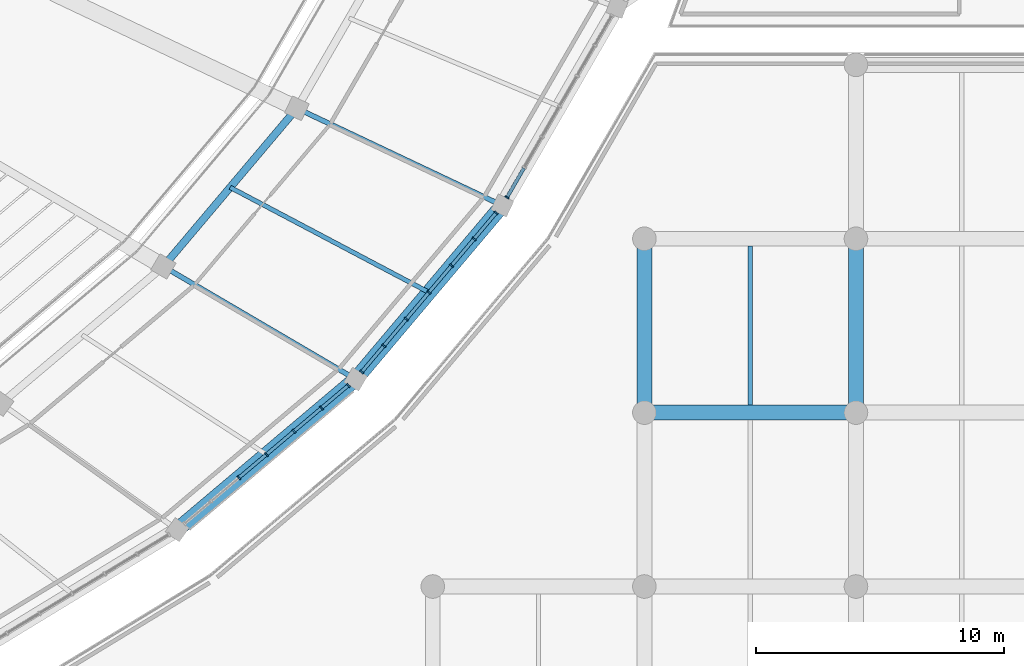
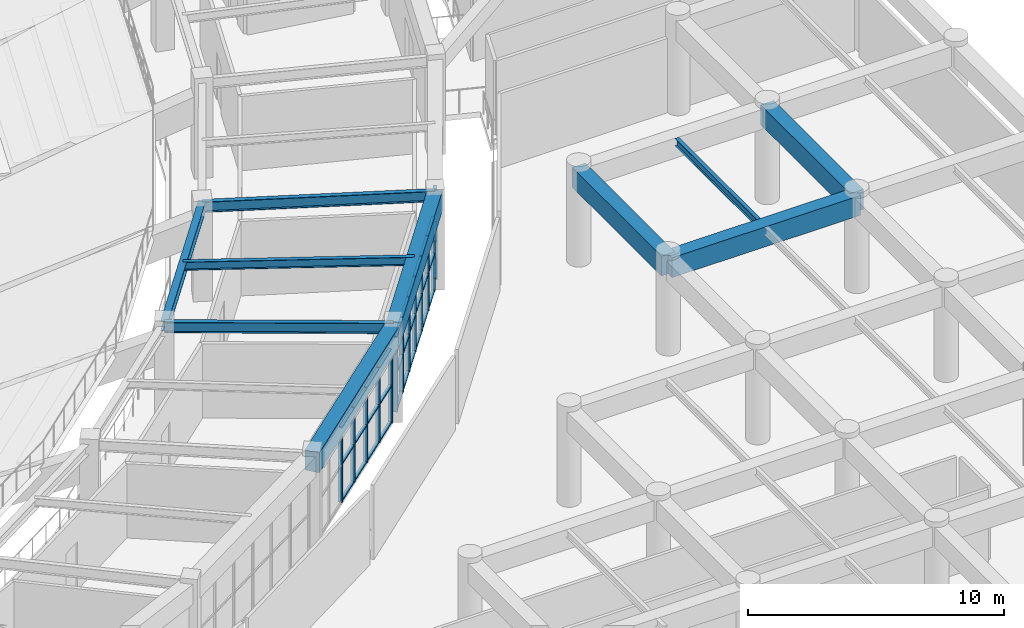
# One storey, part 40 of 137: 46 members, 10 beams, 3 elements without a shape of their own.
"""IFC4 building model written with IfcOpenShell, lengths in metres."""

from ifc_helpers import new_model, si_unit, direction, frame, origin, origin_2d, place, context, subcontext, project, spatial, rectangle, i_section, extrude, material, layer, layer_set, material_profile, profile_set, type_object, element, aggregate, save


model = new_model("IFC4")

# Units and contexts
model_context = context("Model", 3, precision=1e-05, world=origin(), true_north=direction((0.0, 1.0)))
body_context = subcontext(model_context, "Body", "Model", "MODEL_VIEW")
ifc_project = project(units=[si_unit("LENGTHUNIT", "METRE"), si_unit("AREAUNIT", "SQUARE_METRE"), si_unit("VOLUMEUNIT", "CUBIC_METRE"), si_unit("PLANEANGLEUNIT", "RADIAN"), si_unit("MASSUNIT", "GRAM", prefix="KILO")], contexts=[model_context])

# Site, building, storey
site_placement = place(None, origin())
site = spatial("IfcSite", under=ifc_project, at=site_placement, CompositionType="ELEMENT")
building_placement = place(site_placement, origin())
building = spatial("IfcBuilding", under=site, at=building_placement, Name="Mphavela Belvedere Stadium", CompositionType="ELEMENT")
storey_placement = place(building_placement, frame((0.0, 0.0, 19.199951171875)))
storey = spatial("IfcBuildingStorey", under=building, at=storey_placement, Name="L04", CompositionType="ELEMENT", Elevation=19.199951171875)

# Beams
ifc_material_1 = material(Name="Concrete C40/50", Category="concrete")
ifc_material_profile_1 = material_profile(ifc_material_1, rectangle(XDim=0.60009765625, YDim=0.949951171875, at=origin_2d()), Name="RC 600x950")
ifc_profile_set_1 = profile_set([ifc_material_profile_1], Name="Concrete C40/50")
beam_type_1 = type_object("IfcBeamType", Name="BM-ENTABLATURE-950", PredefinedType="SPANDREL", material=ifc_profile_set_1)
beam_1_placement = place(storey_placement, frame((194.155517578125, 30.285400390625, 4.074951171875), z_axis=(0.76426547638, 0.644901761212, 0.0), x_axis=(-0.644901761212, 0.76426547638, 0.0)))
element("IfcBeam", 1, at=beam_1_placement, inside=storey, type_object=beam_type_1, Name="Circumferential girder L04 R4-43", PredefinedType="SPANDREL", context=body_context, shape_type="SweptSolid", body=[
    extrude(rectangle(XDim=0.60009765625, YDim=0.949951171875, at=origin_2d()), origin(), (0.0, 0.0, 1.0), 9.3984375),
])
beam_2_placement = place(storey_placement, frame((201.33837890625, 36.346435546875, 4.074951171875), z_axis=(0.645164552218, 0.764043650952, 0.0), x_axis=(-0.764043650952, 0.645164552218, 0.0)))
element("IfcBeam", 2, at=beam_2_placement, inside=storey, type_object=beam_type_1, Name="Circumferential girder L04 R4-44", PredefinedType="SPANDREL", context=body_context, shape_type="SweptSolid", body=[
    extrude(rectangle(XDim=0.60009765625, YDim=0.949951171875, at=origin_2d()), origin(), (0.0, 0.0, 1.0), 9.151123046875),
])
beam_3_placement = place(storey_placement, frame((212.962890625, 35.0, 4.06494140625), z_axis=(1.0, 0.0, 0.0), x_axis=(0.0, 1.0, 0.0)))
element("IfcBeam", 3, at=beam_3_placement, inside=storey, type_object=beam_type_1, Name="South Axial Triumphal Peristyle Portico entablature beam X L04 26-6", PredefinedType="SPANDREL", context=body_context, shape_type="SweptSolid", body=[
    extrude(rectangle(XDim=0.60009765625, YDim=0.949951171875, at=origin_2d()), origin(), (0.0, 0.0, 1.0), 8.51806640625),
])
for number, where, z_axis, x_axis, name in (
    (4, (212.962890625, 35.0, 4.06494140625), (0.0, 1.0, 0.0), (-1.0, 0.0, 0.0), "South Axial Triumphal Peristyle Portico entablature beam Y L04 26-6"),
    (5, (221.48095703125, 35.0, 4.06494140625), (0.0, 1.0, 0.0), (-1.0, 0.0, 0.0), "South Axial Triumphal Peristyle Portico entablature beam Y L04 27-6"),
):
    element("IfcBeam", number, at=place(storey_placement, frame(where, z_axis=z_axis, x_axis=x_axis)), inside=storey, type_object=beam_type_1, Name=name, PredefinedType="SPANDREL", context=body_context, shape_type="SweptSolid", body=[
        extrude(rectangle(XDim=0.60009765625, YDim=0.949951171875, at=origin_2d()), origin(), (0.0, 0.0, 1.0), 7.0),
    ])
ifc_material_2 = material(Name="Steel S355", Category="steel")
ifc_material_profile_2 = material_profile(ifc_material_2, i_section(OverallWidth=0.169921875, OverallDepth=0.360107421875, WebThickness=0.008056640625, FlangeThickness=0.0126953125, at=origin_2d()), Name="IPE 360")
ifc_profile_set_2 = profile_set([ifc_material_profile_2], Name="Steel S355")
beam_type_2 = type_object("IfcBeamType", Name="BM-JOIST-IPE360", PredefinedType="JOIST", material=ifc_profile_set_2)
beam_4_placement = place(storey_placement, frame((217.221923828125, 35.300048828125, 4.360107421875), z_axis=(0.0, 1.0, 0.0), x_axis=(-1.0, 0.0, 0.0)))
element("IfcBeam", 6, at=beam_4_placement, inside=storey, type_object=beam_type_2, Name="South Axial Triumphal Peristyle Portico secondary joist L04 26-6", PredefinedType="JOIST", context=body_context, shape_type="SweptSolid", body=[
    extrude(i_section(OverallWidth=0.169921875, OverallDepth=0.360107421875, WebThickness=0.008056640625, FlangeThickness=0.0126953125, at=origin_2d()), origin(), (0.0, 0.0, 1.0), 6.39990234375),
])
ifc_material_3 = material(Name="Steel S355", Category="steel")
ifc_material_profile_3 = material_profile(ifc_material_3, i_section(OverallWidth=0.179931640625, OverallDepth=0.39990234375, WebThickness=0.008544921875, FlangeThickness=0.013427734375, at=origin_2d()), Name="IPE 400")
ifc_profile_set_3 = profile_set([ifc_material_profile_3], Name="Steel S355")
beam_type_3 = type_object("IfcBeamType", Name="BM-JOIST-IPE400", PredefinedType="JOIST", material=ifc_profile_set_3)
beam_5_placement = place(storey_placement, frame((196.2880859375, 44.06884765625, 4.35009765625), z_axis=(0.884250771824, -0.467012390123, 0.0), x_axis=(0.467012390123, 0.884250771824, 0.0)))
element("IfcBeam", 7, at=beam_5_placement, inside=storey, type_object=beam_type_3, Name="Concourse floor joist L04-44", PredefinedType="JOIST", context=body_context, shape_type="SweptSolid", body=[
    extrude(i_section(OverallWidth=0.179931640625, OverallDepth=0.39990234375, WebThickness=0.008544921875, FlangeThickness=0.013427734375, at=origin_2d()), origin(), (0.0, 0.0, 1.0), 9.0498046875),
])
ifc_material_4 = material(Name="Steel S355", Category="steel")
ifc_material_profile_4 = material_profile(ifc_material_4, i_section(OverallWidth=0.300048828125, OverallDepth=0.489990234375, WebThickness=0.011962890625, FlangeThickness=0.02294921875, at=origin_2d()), Name="HEA 500")
ifc_profile_set_4 = profile_set([ifc_material_profile_4], Name="Steel S355")
beam_type_4 = type_object("IfcBeamType", Name="BM-STEEL-HEA500", PredefinedType="BEAM", material=ifc_profile_set_4)
beam_6_placement = place(storey_placement, frame((193.600341796875, 40.88623046875, 4.304931640625), z_axis=(0.645177396673, 0.764032804808, 0.0), x_axis=(-0.764032804808, 0.645177396673, 0.0)))
element("IfcBeam", 8, at=beam_6_placement, inside=storey, type_object=beam_type_4, Name="Circumferential girder L04 R3-44", PredefinedType="BEAM", context=body_context, shape_type="SweptSolid", body=[
    extrude(i_section(OverallWidth=0.300048828125, OverallDepth=0.489990234375, WebThickness=0.011962890625, FlangeThickness=0.02294921875, at=origin_2d()), origin(), (0.0, 0.0, 1.0), 8.331298828125),
])
ifc_material_5 = material(Name="Steel S355", Category="steel")
ifc_material_profile_5 = material_profile(ifc_material_5, i_section(OverallWidth=0.199951171875, OverallDepth=0.5, WebThickness=0.01025390625, FlangeThickness=0.01611328125, at=origin_2d()), Name="IPE 500")
ifc_profile_set_5 = profile_set([ifc_material_profile_5], Name="Steel S355")
beam_type_5 = type_object("IfcBeamType", Name="BM-STEEL-IPE500", PredefinedType="BEAM", material=ifc_profile_set_5)
beam_7_placement = place(storey_placement, frame((193.600341796875, 40.88623046875, 4.300048828125), z_axis=(0.862517779395, -0.506026758411, 0.0), x_axis=(0.506026758411, 0.862517779395, 0.0)))
element("IfcBeam", 9, at=beam_7_placement, inside=storey, type_object=beam_type_5, Name="Radial concourse girder L04 R3R4-44", PredefinedType="BEAM", context=body_context, shape_type="SweptSolid", body=[
    extrude(i_section(OverallWidth=0.199951171875, OverallDepth=0.5, WebThickness=0.01025390625, FlangeThickness=0.01611328125, at=origin_2d()), origin(), (0.0, 0.0, 1.0), 8.971435546875),
])
beam_8_placement = place(storey_placement, frame((198.9755859375, 47.251708984375, 4.300048828125), z_axis=(0.903845427073, -0.427859140325, 0.0), x_axis=(0.427859140325, 0.903845427073, 0.0)))
element("IfcBeam", 10, at=beam_8_placement, inside=storey, type_object=beam_type_5, Name="Radial concourse girder L04 R3R4-45", PredefinedType="BEAM", context=body_context, shape_type="SweptSolid", body=[
    extrude(i_section(OverallWidth=0.199951171875, OverallDepth=0.5, WebThickness=0.01025390625, FlangeThickness=0.01611328125, at=origin_2d()), origin(), (0.0, 0.0, 1.0), 9.146240234375),
])

# Curtain wall, members
ifc_material_6 = material(Name="Anodised bronze unitised curtain wall framing")
ifc_layer_1 = layer(ifc_material_6, 0.205078125)
ifc_layer_set_1 = layer_set([ifc_layer_1], Name="Anodised bronze unitised curtain wall framing")
curtain_wall_type_1 = type_object("IfcCurtainWallType", Name="CW-UNIT-06", PredefinedType="USERDEFINED", material=ifc_layer_set_1)
curtain_wall_1_placement = place(storey_placement, origin())
curtain_wall_1 = element("IfcCurtainWall", 11, at=curtain_wall_1_placement, inside=storey, type_object=curtain_wall_type_1, Name="Belvedere colonnade curtain wall L04-43", ObjectType="UNITISED CURTAIN WALL", PredefinedType="USERDEFINED")
ifc_material_7 = material(Name="Anodised bronze extruded aluminium", Category="aluminium")
ifc_material_profile_6 = material_profile(ifc_material_7, rectangle(XDim=0.179931640625, YDim=0.06494140625, at=origin_2d()), Name="CW-MUL 180x65")
ifc_profile_set_6 = profile_set([ifc_material_profile_6], Name="Anodised bronze extruded aluminium")
member_type_1 = type_object("IfcMemberType", Name="CWM-180x65", PredefinedType="MULLION", material=ifc_profile_set_6)
member_1_placement = place(storey_placement, frame((196.638427734375, 32.380615234375, 0.0), z_axis=(0.0, 0.0, 1.0), x_axis=(-0.644916038089, 0.764253429051, 0.0)))
member_1 = element("IfcMember", 12, at=member_1_placement, type_object=member_type_1, Name="CW-06 mullion 3", PredefinedType="MULLION", context=body_context, shape_type="SweptSolid", body=[
    extrude(rectangle(XDim=0.179931640625, YDim=0.06494140625, at=origin_2d()), origin(), (0.0, 0.0, 1.0), 3.570068359375),
])
member_2_placement = place(storey_placement, frame((197.7470703125, 33.31591796875, 0.0), z_axis=(0.0, 0.0, 1.0), x_axis=(-0.644916038089, 0.764253429051, 0.0)))
member_2 = element("IfcMember", 13, at=member_2_placement, type_object=member_type_1, Name="CW-06 mullion 4", PredefinedType="MULLION", context=body_context, shape_type="SweptSolid", body=[
    extrude(rectangle(XDim=0.179931640625, YDim=0.06494140625, at=origin_2d()), origin(), (0.0, 0.0, 1.0), 3.570068359375),
])
member_3_placement = place(storey_placement, frame((198.85546875, 34.25146484375, 0.0), z_axis=(0.0, 0.0, 1.0), x_axis=(-0.644916038089, 0.764253429051, 0.0)))
member_3 = element("IfcMember", 14, at=member_3_placement, type_object=member_type_1, Name="CW-06 mullion 5", PredefinedType="MULLION", context=body_context, shape_type="SweptSolid", body=[
    extrude(rectangle(XDim=0.179931640625, YDim=0.06494140625, at=origin_2d()), origin(), (0.0, 0.0, 1.0), 3.570068359375),
])
member_4_placement = place(storey_placement, frame((199.9638671875, 35.186767578125, 0.0), z_axis=(0.0, 0.0, 1.0), x_axis=(-0.644916038089, 0.764253429051, 0.0)))
member_4 = element("IfcMember", 15, at=member_4_placement, type_object=member_type_1, Name="CW-06 mullion 6", PredefinedType="MULLION", context=body_context, shape_type="SweptSolid", body=[
    extrude(rectangle(XDim=0.179931640625, YDim=0.06494140625, at=origin_2d()), origin(), (0.0, 0.0, 1.0), 3.570068359375),
])
member_5_placement = place(storey_placement, frame((201.04736328125, 36.10107421875, 0.0), z_axis=(0.0, 0.0, 1.0), x_axis=(-0.644916038089, 0.764253429051, 0.0)))
member_5 = element("IfcMember", 16, at=member_5_placement, type_object=member_type_1, Name="CW-06 mullion 7", PredefinedType="MULLION", context=body_context, shape_type="SweptSolid", body=[
    extrude(rectangle(XDim=0.179931640625, YDim=0.06494140625, at=origin_2d()), origin(), (0.0, 0.0, 1.0), 3.570068359375),
])

ifc_material_8 = material(Name="Anodised bronze unitised curtain wall framing")
ifc_layer_2 = layer(ifc_material_8, 0.179931640625)
ifc_layer_set_2 = layer_set([ifc_layer_2], Name="Anodised bronze unitised curtain wall framing")
curtain_wall_type_2 = type_object("IfcCurtainWallType", Name="CW-UNIT-01", PredefinedType="USERDEFINED", material=ifc_layer_set_2)
curtain_wall_2_placement = place(storey_placement, origin())
curtain_wall_2 = element("IfcCurtainWall", 17, at=curtain_wall_2_placement, inside=storey, type_object=curtain_wall_type_2, Name="Belvedere colonnade curtain wall L04-44", ObjectType="UNITISED CURTAIN WALL", PredefinedType="USERDEFINED")
member_6_placement = place(storey_placement, frame((201.583740234375, 36.63720703125, 0.0), z_axis=(0.0, 0.0, 1.0), x_axis=(-0.764034579723, 0.645175294774, 0.0)))
member_6 = element("IfcMember", 18, at=member_6_placement, type_object=member_type_1, Name="CW-01 mullion 1", PredefinedType="MULLION", context=body_context, shape_type="SweptSolid", body=[
    extrude(rectangle(XDim=0.179931640625, YDim=0.06494140625, at=origin_2d()), origin(), (0.0, 0.0, 1.0), 3.570068359375),
])
member_7_placement = place(storey_placement, frame((202.471923828125, 37.689208984375, 0.0), z_axis=(0.0, 0.0, 1.0), x_axis=(-0.764034579723, 0.645175294774, 0.0)))
member_7 = element("IfcMember", 19, at=member_7_placement, type_object=member_type_1, Name="CW-01 mullion 2", PredefinedType="MULLION", context=body_context, shape_type="SweptSolid", body=[
    extrude(rectangle(XDim=0.179931640625, YDim=0.06494140625, at=origin_2d()), origin(), (0.0, 0.0, 1.0), 3.570068359375),
])
member_8_placement = place(storey_placement, frame((203.381103515625, 38.765869140625, 0.0), z_axis=(0.0, 0.0, 1.0), x_axis=(-0.764034579723, 0.645175294774, 0.0)))
member_8 = element("IfcMember", 20, at=member_8_placement, type_object=member_type_1, Name="CW-01 mullion 3", PredefinedType="MULLION", context=body_context, shape_type="SweptSolid", body=[
    extrude(rectangle(XDim=0.179931640625, YDim=0.06494140625, at=origin_2d()), origin(), (0.0, 0.0, 1.0), 3.570068359375),
])
member_9_placement = place(storey_placement, frame((204.290283203125, 39.842529296875, 0.0), z_axis=(0.0, 0.0, 1.0), x_axis=(-0.764034579723, 0.645175294774, 0.0)))
member_9 = element("IfcMember", 21, at=member_9_placement, type_object=member_type_1, Name="CW-01 mullion 4", PredefinedType="MULLION", context=body_context, shape_type="SweptSolid", body=[
    extrude(rectangle(XDim=0.179931640625, YDim=0.06494140625, at=origin_2d()), origin(), (0.0, 0.0, 1.0), 3.570068359375),
])
member_10_placement = place(storey_placement, frame((205.19970703125, 40.919189453125, 0.0), z_axis=(0.0, 0.0, 1.0), x_axis=(-0.764034579723, 0.645175294774, 0.0)))
member_10 = element("IfcMember", 22, at=member_10_placement, type_object=member_type_1, Name="CW-01 mullion 5", PredefinedType="MULLION", context=body_context, shape_type="SweptSolid", body=[
    extrude(rectangle(XDim=0.179931640625, YDim=0.06494140625, at=origin_2d()), origin(), (0.0, 0.0, 1.0), 3.570068359375),
])
member_11_placement = place(storey_placement, frame((206.10888671875, 41.995849609375, 0.0), z_axis=(0.0, 0.0, 1.0), x_axis=(-0.764034579723, 0.645175294774, 0.0)))
member_11 = element("IfcMember", 23, at=member_11_placement, type_object=member_type_1, Name="CW-01 mullion 6", PredefinedType="MULLION", context=body_context, shape_type="SweptSolid", body=[
    extrude(rectangle(XDim=0.179931640625, YDim=0.06494140625, at=origin_2d()), origin(), (0.0, 0.0, 1.0), 3.570068359375),
])
member_12_placement = place(storey_placement, frame((206.9970703125, 43.0478515625, 0.0), z_axis=(0.0, 0.0, 1.0), x_axis=(-0.764034579723, 0.645175294774, 0.0)))
member_12 = element("IfcMember", 24, at=member_12_placement, type_object=member_type_1, Name="CW-01 mullion 7", PredefinedType="MULLION", context=body_context, shape_type="SweptSolid", body=[
    extrude(rectangle(XDim=0.179931640625, YDim=0.06494140625, at=origin_2d()), origin(), (0.0, 0.0, 1.0), 3.570068359375),
])

# Curtain wall, member
ifc_material_9 = material(Name="Anodised bronze unitised curtain wall framing")
ifc_layer_3 = layer(ifc_material_9, 0.18505859375)
ifc_layer_set_3 = layer_set([ifc_layer_3], Name="Anodised bronze unitised curtain wall framing")
curtain_wall_type_3 = type_object("IfcCurtainWallType", Name="CW-UNIT-02", PredefinedType="USERDEFINED", material=ifc_layer_set_3)
curtain_wall_3_placement = place(storey_placement, origin())
curtain_wall_3 = element("IfcCurtainWall", 25, at=curtain_wall_3_placement, inside=storey, type_object=curtain_wall_type_3, Name="Belvedere colonnade curtain wall L04-45", ObjectType="UNITISED CURTAIN WALL", PredefinedType="USERDEFINED")
member_13_placement = place(storey_placement, frame((207.432861328125, 43.66796875, 0.0), z_axis=(0.0, 0.0, 1.0), x_axis=(-0.865704159606, 0.500555998906, 0.0)))
member_13 = element("IfcMember", 26, at=member_13_placement, type_object=member_type_1, Name="CW-02 mullion 1", PredefinedType="MULLION", context=body_context, shape_type="SweptSolid", body=[
    extrude(rectangle(XDim=0.179931640625, YDim=0.06494140625, at=origin_2d()), origin(), (0.0, 0.0, 1.0), 3.570068359375),
])

# Member
ifc_material_10 = material(Name="Anodised bronze extruded aluminium", Category="aluminium")
ifc_material_profile_7 = material_profile(ifc_material_10, rectangle(XDim=0.139892578125, YDim=0.06005859375, at=origin_2d()), Name="CW-TRN 140x60")
ifc_profile_set_7 = profile_set([ifc_material_profile_7], Name="Anodised bronze extruded aluminium")
member_type_2 = type_object("IfcMemberType", Name="CWT-140x60", PredefinedType="USERDEFINED", material=ifc_profile_set_7)
member_14_placement = place(storey_placement, frame((196.663330078125, 32.401611328125, 0.030029296875), z_axis=(0.764321340715, 0.644835551228, 0.0), x_axis=(-0.644835551228, 0.764321340715, 0.0)))
member_14 = element("IfcMember", 27, at=member_14_placement, type_object=member_type_2, Name="CW-06 transom 3.1", ObjectType="TRANSOM", PredefinedType="USERDEFINED", context=body_context, shape_type="SweptSolid", body=[
    extrude(rectangle(XDim=0.139892578125, YDim=0.06005859375, at=origin_2d()), origin(), (0.0, 0.0, 1.0), 1.38525390625),
])

member_15_placement = place(storey_placement, frame((196.663330078125, 32.401611328125, 1.78515625), z_axis=(0.764321340715, 0.644835551228, 0.0), x_axis=(-0.644835551228, 0.764321340715, 0.0)))
member_15 = element("IfcMember", 28, at=member_15_placement, type_object=member_type_2, Name="CW-06 transom 3.2", ObjectType="TRANSOM", PredefinedType="USERDEFINED", context=body_context, shape_type="SweptSolid", body=[
    extrude(rectangle(XDim=0.139892578125, YDim=0.06005859375, at=origin_2d()), origin(), (0.0, 0.0, 1.0), 1.38525390625),
])

member_16_placement = place(storey_placement, frame((196.663330078125, 32.401611328125, 3.5400390625), z_axis=(0.764321340715, 0.644835551228, 0.0), x_axis=(-0.644835551228, 0.764321340715, 0.0)))
member_16 = element("IfcMember", 29, at=member_16_placement, type_object=member_type_2, Name="CW-06 transom 3.3", ObjectType="TRANSOM", PredefinedType="USERDEFINED", context=body_context, shape_type="SweptSolid", body=[
    extrude(rectangle(XDim=0.139892578125, YDim=0.06005859375, at=origin_2d()), origin(), (0.0, 0.0, 1.0), 1.38525390625),
])

member_17_placement = place(storey_placement, frame((197.771728515625, 33.3369140625, 0.030029296875), z_axis=(0.764234485314, 0.644938486569, 0.0), x_axis=(-0.644938486569, 0.764234485314, 0.0)))
member_17 = element("IfcMember", 30, at=member_17_placement, type_object=member_type_2, Name="CW-06 transom 4.1", ObjectType="TRANSOM", PredefinedType="USERDEFINED", context=body_context, shape_type="SweptSolid", body=[
    extrude(rectangle(XDim=0.139892578125, YDim=0.06005859375, at=origin_2d()), origin(), (0.0, 0.0, 1.0), 1.385498046875),
])

member_18_placement = place(storey_placement, frame((197.771728515625, 33.3369140625, 1.78515625), z_axis=(0.764234485314, 0.644938486569, 0.0), x_axis=(-0.644938486569, 0.764234485314, 0.0)))
member_18 = element("IfcMember", 31, at=member_18_placement, type_object=member_type_2, Name="CW-06 transom 4.2", ObjectType="TRANSOM", PredefinedType="USERDEFINED", context=body_context, shape_type="SweptSolid", body=[
    extrude(rectangle(XDim=0.139892578125, YDim=0.06005859375, at=origin_2d()), origin(), (0.0, 0.0, 1.0), 1.385498046875),
])

member_19_placement = place(storey_placement, frame((197.771728515625, 33.3369140625, 3.5400390625), z_axis=(0.764234485314, 0.644938486569, 0.0), x_axis=(-0.644938486569, 0.764234485314, 0.0)))
member_19 = element("IfcMember", 32, at=member_19_placement, type_object=member_type_2, Name="CW-06 transom 4.3", ObjectType="TRANSOM", PredefinedType="USERDEFINED", context=body_context, shape_type="SweptSolid", body=[
    extrude(rectangle(XDim=0.139892578125, YDim=0.06005859375, at=origin_2d()), origin(), (0.0, 0.0, 1.0), 1.385498046875),
])

member_20_placement = place(storey_placement, frame((198.880126953125, 34.272216796875, 0.030029296875), z_axis=(0.764234485314, 0.644938486569, 0.0), x_axis=(-0.644938486569, 0.764234485314, 0.0)))
member_20 = element("IfcMember", 33, at=member_20_placement, type_object=member_type_2, Name="CW-06 transom 5.1", ObjectType="TRANSOM", PredefinedType="USERDEFINED", context=body_context, shape_type="SweptSolid", body=[
    extrude(rectangle(XDim=0.139892578125, YDim=0.06005859375, at=origin_2d()), origin(), (0.0, 0.0, 1.0), 1.385498046875),
])

member_21_placement = place(storey_placement, frame((198.880126953125, 34.272216796875, 1.78515625), z_axis=(0.764234485314, 0.644938486569, 0.0), x_axis=(-0.644938486569, 0.764234485314, 0.0)))
member_21 = element("IfcMember", 34, at=member_21_placement, type_object=member_type_2, Name="CW-06 transom 5.2", ObjectType="TRANSOM", PredefinedType="USERDEFINED", context=body_context, shape_type="SweptSolid", body=[
    extrude(rectangle(XDim=0.139892578125, YDim=0.06005859375, at=origin_2d()), origin(), (0.0, 0.0, 1.0), 1.385498046875),
])

member_22_placement = place(storey_placement, frame((198.880126953125, 34.272216796875, 3.5400390625), z_axis=(0.764234485314, 0.644938486569, 0.0), x_axis=(-0.644938486569, 0.764234485314, 0.0)))
member_22 = element("IfcMember", 35, at=member_22_placement, type_object=member_type_2, Name="CW-06 transom 5.3", ObjectType="TRANSOM", PredefinedType="USERDEFINED", context=body_context, shape_type="SweptSolid", body=[
    extrude(rectangle(XDim=0.139892578125, YDim=0.06005859375, at=origin_2d()), origin(), (0.0, 0.0, 1.0), 1.385498046875),
])

member_23_placement = place(storey_placement, frame((199.98876953125, 35.207763671875, 0.030029296875), z_axis=(0.764316500448, 0.644841288336, 0.0), x_axis=(-0.644841288336, 0.764316500448, 0.0)))
member_23 = element("IfcMember", 36, at=member_23_placement, type_object=member_type_2, Name="CW-06 transom 6.1", ObjectType="TRANSOM", PredefinedType="USERDEFINED", context=body_context, shape_type="SweptSolid", body=[
    extrude(rectangle(XDim=0.139892578125, YDim=0.06005859375, at=origin_2d()), origin(), (0.0, 0.0, 1.0), 1.352783203125),
])

member_24_placement = place(storey_placement, frame((199.98876953125, 35.207763671875, 1.78515625), z_axis=(0.764316500448, 0.644841288336, 0.0), x_axis=(-0.644841288336, 0.764316500448, 0.0)))
member_24 = element("IfcMember", 37, at=member_24_placement, type_object=member_type_2, Name="CW-06 transom 6.2", ObjectType="TRANSOM", PredefinedType="USERDEFINED", context=body_context, shape_type="SweptSolid", body=[
    extrude(rectangle(XDim=0.139892578125, YDim=0.06005859375, at=origin_2d()), origin(), (0.0, 0.0, 1.0), 1.352783203125),
])

member_25_placement = place(storey_placement, frame((199.98876953125, 35.207763671875, 3.5400390625), z_axis=(0.764316500448, 0.644841288336, 0.0), x_axis=(-0.644841288336, 0.764316500448, 0.0)))
member_25 = element("IfcMember", 38, at=member_25_placement, type_object=member_type_2, Name="CW-06 transom 6.3", ObjectType="TRANSOM", PredefinedType="USERDEFINED", context=body_context, shape_type="SweptSolid", body=[
    extrude(rectangle(XDim=0.139892578125, YDim=0.06005859375, at=origin_2d()), origin(), (0.0, 0.0, 1.0), 1.352783203125),
])

aggregate(curtain_wall_1, [member_1, member_2, member_3, member_4, member_5, member_14, member_15, member_16, member_17, member_18, member_19, member_20, member_21, member_22, member_23, member_24, member_25])

member_26_placement = place(storey_placement, frame((201.604736328125, 36.662109375, 0.030029296875), z_axis=(0.645132526384, 0.764070692673, 0.0), x_axis=(-0.764070692673, 0.645132526384, 0.0)))
member_26 = element("IfcMember", 39, at=member_26_placement, type_object=member_type_2, Name="CW-01 transom 1.1", ObjectType="TRANSOM", PredefinedType="USERDEFINED", context=body_context, shape_type="SweptSolid", body=[
    extrude(rectangle(XDim=0.139892578125, YDim=0.06005859375, at=origin_2d()), origin(), (0.0, 0.0, 1.0), 1.311767578125),
])

member_27_placement = place(storey_placement, frame((201.604736328125, 36.662109375, 1.78515625), z_axis=(0.645132526384, 0.764070692673, 0.0), x_axis=(-0.764070692673, 0.645132526384, 0.0)))
member_27 = element("IfcMember", 40, at=member_27_placement, type_object=member_type_2, Name="CW-01 transom 1.2", ObjectType="TRANSOM", PredefinedType="USERDEFINED", context=body_context, shape_type="SweptSolid", body=[
    extrude(rectangle(XDim=0.139892578125, YDim=0.06005859375, at=origin_2d()), origin(), (0.0, 0.0, 1.0), 1.311767578125),
])

member_28_placement = place(storey_placement, frame((201.604736328125, 36.662109375, 3.5400390625), z_axis=(0.645132526384, 0.764070692673, 0.0), x_axis=(-0.764070692673, 0.645132526384, 0.0)))
member_28 = element("IfcMember", 41, at=member_28_placement, type_object=member_type_2, Name="CW-01 transom 1.3", ObjectType="TRANSOM", PredefinedType="USERDEFINED", context=body_context, shape_type="SweptSolid", body=[
    extrude(rectangle(XDim=0.139892578125, YDim=0.06005859375, at=origin_2d()), origin(), (0.0, 0.0, 1.0), 1.311767578125),
])

member_29_placement = place(storey_placement, frame((202.492919921875, 37.7138671875, 0.030029296875), z_axis=(0.645225575493, 0.763992118238, 0.0), x_axis=(-0.763992118238, 0.645225575493, 0.0)))
member_29 = element("IfcMember", 42, at=member_29_placement, type_object=member_type_2, Name="CW-01 transom 2.1", ObjectType="TRANSOM", PredefinedType="USERDEFINED", context=body_context, shape_type="SweptSolid", body=[
    extrude(rectangle(XDim=0.139892578125, YDim=0.06005859375, at=origin_2d()), origin(), (0.0, 0.0, 1.0), 1.344482421875),
])

member_30_placement = place(storey_placement, frame((202.492919921875, 37.7138671875, 1.78515625), z_axis=(0.645225575493, 0.763992118238, 0.0), x_axis=(-0.763992118238, 0.645225575493, 0.0)))
member_30 = element("IfcMember", 43, at=member_30_placement, type_object=member_type_2, Name="CW-01 transom 2.2", ObjectType="TRANSOM", PredefinedType="USERDEFINED", context=body_context, shape_type="SweptSolid", body=[
    extrude(rectangle(XDim=0.139892578125, YDim=0.06005859375, at=origin_2d()), origin(), (0.0, 0.0, 1.0), 1.344482421875),
])

member_31_placement = place(storey_placement, frame((202.492919921875, 37.7138671875, 3.5400390625), z_axis=(0.645225575493, 0.763992118238, 0.0), x_axis=(-0.763992118238, 0.645225575493, 0.0)))
member_31 = element("IfcMember", 44, at=member_31_placement, type_object=member_type_2, Name="CW-01 transom 2.3", ObjectType="TRANSOM", PredefinedType="USERDEFINED", context=body_context, shape_type="SweptSolid", body=[
    extrude(rectangle(XDim=0.139892578125, YDim=0.06005859375, at=origin_2d()), origin(), (0.0, 0.0, 1.0), 1.344482421875),
])

member_32_placement = place(storey_placement, frame((203.402099609375, 38.79052734375, 0.030029296875), z_axis=(0.645225575493, 0.763992118238, 0.0), x_axis=(-0.763992118238, 0.645225575493, 0.0)))
member_32 = element("IfcMember", 45, at=member_32_placement, type_object=member_type_2, Name="CW-01 transom 3.1", ObjectType="TRANSOM", PredefinedType="USERDEFINED", context=body_context, shape_type="SweptSolid", body=[
    extrude(rectangle(XDim=0.139892578125, YDim=0.06005859375, at=origin_2d()), origin(), (0.0, 0.0, 1.0), 1.344482421875),
])

member_33_placement = place(storey_placement, frame((203.402099609375, 38.79052734375, 1.78515625), z_axis=(0.645225575493, 0.763992118238, 0.0), x_axis=(-0.763992118238, 0.645225575493, 0.0)))
member_33 = element("IfcMember", 46, at=member_33_placement, type_object=member_type_2, Name="CW-01 transom 3.2", ObjectType="TRANSOM", PredefinedType="USERDEFINED", context=body_context, shape_type="SweptSolid", body=[
    extrude(rectangle(XDim=0.139892578125, YDim=0.06005859375, at=origin_2d()), origin(), (0.0, 0.0, 1.0), 1.344482421875),
])

member_34_placement = place(storey_placement, frame((203.402099609375, 38.79052734375, 3.5400390625), z_axis=(0.645225575493, 0.763992118238, 0.0), x_axis=(-0.763992118238, 0.645225575493, 0.0)))
member_34 = element("IfcMember", 47, at=member_34_placement, type_object=member_type_2, Name="CW-01 transom 3.3", ObjectType="TRANSOM", PredefinedType="USERDEFINED", context=body_context, shape_type="SweptSolid", body=[
    extrude(rectangle(XDim=0.139892578125, YDim=0.06005859375, at=origin_2d()), origin(), (0.0, 0.0, 1.0), 1.344482421875),
])

member_35_placement = place(storey_placement, frame((204.311279296875, 39.867431640625, 0.030029296875), z_axis=(0.645315102813, 0.763916499417, 0.0), x_axis=(-0.763916499417, 0.645315102813, 0.0)))
member_35 = element("IfcMember", 48, at=member_35_placement, type_object=member_type_2, Name="CW-01 transom 4.1", ObjectType="TRANSOM", PredefinedType="USERDEFINED", context=body_context, shape_type="SweptSolid", body=[
    extrude(rectangle(XDim=0.139892578125, YDim=0.06005859375, at=origin_2d()), origin(), (0.0, 0.0, 1.0), 1.34423828125),
])

member_36_placement = place(storey_placement, frame((204.311279296875, 39.867431640625, 1.78515625), z_axis=(0.645315102813, 0.763916499417, 0.0), x_axis=(-0.763916499417, 0.645315102813, 0.0)))
member_36 = element("IfcMember", 49, at=member_36_placement, type_object=member_type_2, Name="CW-01 transom 4.2", ObjectType="TRANSOM", PredefinedType="USERDEFINED", context=body_context, shape_type="SweptSolid", body=[
    extrude(rectangle(XDim=0.139892578125, YDim=0.06005859375, at=origin_2d()), origin(), (0.0, 0.0, 1.0), 1.34423828125),
])

member_37_placement = place(storey_placement, frame((204.311279296875, 39.867431640625, 3.5400390625), z_axis=(0.645315102813, 0.763916499417, 0.0), x_axis=(-0.763916499417, 0.645315102813, 0.0)))
member_37 = element("IfcMember", 50, at=member_37_placement, type_object=member_type_2, Name="CW-01 transom 4.3", ObjectType="TRANSOM", PredefinedType="USERDEFINED", context=body_context, shape_type="SweptSolid", body=[
    extrude(rectangle(XDim=0.139892578125, YDim=0.06005859375, at=origin_2d()), origin(), (0.0, 0.0, 1.0), 1.34423828125),
])

member_38_placement = place(storey_placement, frame((205.220458984375, 40.944091796875, 0.030029296875), z_axis=(0.645315102813, 0.763916499417, 0.0), x_axis=(-0.763916499417, 0.645315102813, 0.0)))
member_38 = element("IfcMember", 51, at=member_38_placement, type_object=member_type_2, Name="CW-01 transom 5.1", ObjectType="TRANSOM", PredefinedType="USERDEFINED", context=body_context, shape_type="SweptSolid", body=[
    extrude(rectangle(XDim=0.139892578125, YDim=0.06005859375, at=origin_2d()), origin(), (0.0, 0.0, 1.0), 1.34423828125),
])

member_39_placement = place(storey_placement, frame((205.220458984375, 40.944091796875, 1.78515625), z_axis=(0.645315102813, 0.763916499417, 0.0), x_axis=(-0.763916499417, 0.645315102813, 0.0)))
member_39 = element("IfcMember", 52, at=member_39_placement, type_object=member_type_2, Name="CW-01 transom 5.2", ObjectType="TRANSOM", PredefinedType="USERDEFINED", context=body_context, shape_type="SweptSolid", body=[
    extrude(rectangle(XDim=0.139892578125, YDim=0.06005859375, at=origin_2d()), origin(), (0.0, 0.0, 1.0), 1.34423828125),
])

member_40_placement = place(storey_placement, frame((205.220458984375, 40.944091796875, 3.5400390625), z_axis=(0.645315102813, 0.763916499417, 0.0), x_axis=(-0.763916499417, 0.645315102813, 0.0)))
member_40 = element("IfcMember", 53, at=member_40_placement, type_object=member_type_2, Name="CW-01 transom 5.3", ObjectType="TRANSOM", PredefinedType="USERDEFINED", context=body_context, shape_type="SweptSolid", body=[
    extrude(rectangle(XDim=0.139892578125, YDim=0.06005859375, at=origin_2d()), origin(), (0.0, 0.0, 1.0), 1.34423828125),
])

member_41_placement = place(storey_placement, frame((206.1298828125, 42.020751953125, 0.030029296875), z_axis=(0.645132526384, 0.764070692673, 0.0), x_axis=(-0.764070692673, 0.645132526384, 0.0)))
member_41 = element("IfcMember", 54, at=member_41_placement, type_object=member_type_2, Name="CW-01 transom 6.1", ObjectType="TRANSOM", PredefinedType="USERDEFINED", context=body_context, shape_type="SweptSolid", body=[
    extrude(rectangle(XDim=0.139892578125, YDim=0.06005859375, at=origin_2d()), origin(), (0.0, 0.0, 1.0), 1.311767578125),
])

member_42_placement = place(storey_placement, frame((206.1298828125, 42.020751953125, 1.78515625), z_axis=(0.645132526384, 0.764070692673, 0.0), x_axis=(-0.764070692673, 0.645132526384, 0.0)))
member_42 = element("IfcMember", 55, at=member_42_placement, type_object=member_type_2, Name="CW-01 transom 6.2", ObjectType="TRANSOM", PredefinedType="USERDEFINED", context=body_context, shape_type="SweptSolid", body=[
    extrude(rectangle(XDim=0.139892578125, YDim=0.06005859375, at=origin_2d()), origin(), (0.0, 0.0, 1.0), 1.311767578125),
])

member_43_placement = place(storey_placement, frame((206.1298828125, 42.020751953125, 3.5400390625), z_axis=(0.645132526384, 0.764070692673, 0.0), x_axis=(-0.764070692673, 0.645132526384, 0.0)))
member_43 = element("IfcMember", 56, at=member_43_placement, type_object=member_type_2, Name="CW-01 transom 6.3", ObjectType="TRANSOM", PredefinedType="USERDEFINED", context=body_context, shape_type="SweptSolid", body=[
    extrude(rectangle(XDim=0.139892578125, YDim=0.06005859375, at=origin_2d()), origin(), (0.0, 0.0, 1.0), 1.311767578125),
])

aggregate(curtain_wall_2, [member_6, member_7, member_8, member_9, member_10, member_11, member_12, member_26, member_27, member_28, member_29, member_30, member_31, member_32, member_33, member_34, member_35, member_36, member_37, member_38, member_39, member_40, member_41, member_42, member_43])

member_44_placement = place(storey_placement, frame((207.44921875, 43.696044921875, 0.030029296875), z_axis=(0.500585088296, 0.865687339272, 0.0), x_axis=(-0.865687339272, 0.500585088296, 0.0)))
member_44 = element("IfcMember", 57, at=member_44_placement, type_object=member_type_2, Name="CW-02 transom 1.1", ObjectType="TRANSOM", PredefinedType="USERDEFINED", context=body_context, shape_type="SweptSolid", body=[
    extrude(rectangle(XDim=0.139892578125, YDim=0.06005859375, at=origin_2d()), origin(), (0.0, 0.0, 1.0), 1.32275390625),
])

member_45_placement = place(storey_placement, frame((207.44921875, 43.696044921875, 1.78515625), z_axis=(0.500585088296, 0.865687339272, 0.0), x_axis=(-0.865687339272, 0.500585088296, 0.0)))
member_45 = element("IfcMember", 58, at=member_45_placement, type_object=member_type_2, Name="CW-02 transom 1.2", ObjectType="TRANSOM", PredefinedType="USERDEFINED", context=body_context, shape_type="SweptSolid", body=[
    extrude(rectangle(XDim=0.139892578125, YDim=0.06005859375, at=origin_2d()), origin(), (0.0, 0.0, 1.0), 1.32275390625),
])

member_46_placement = place(storey_placement, frame((207.44921875, 43.696044921875, 3.5400390625), z_axis=(0.500585088296, 0.865687339272, 0.0), x_axis=(-0.865687339272, 0.500585088296, 0.0)))
member_46 = element("IfcMember", 59, at=member_46_placement, type_object=member_type_2, Name="CW-02 transom 1.3", ObjectType="TRANSOM", PredefinedType="USERDEFINED", context=body_context, shape_type="SweptSolid", body=[
    extrude(rectangle(XDim=0.139892578125, YDim=0.06005859375, at=origin_2d()), origin(), (0.0, 0.0, 1.0), 1.32275390625),
])

aggregate(curtain_wall_3, [member_13, member_44, member_45, member_46])

save(model, "model.ifc")
